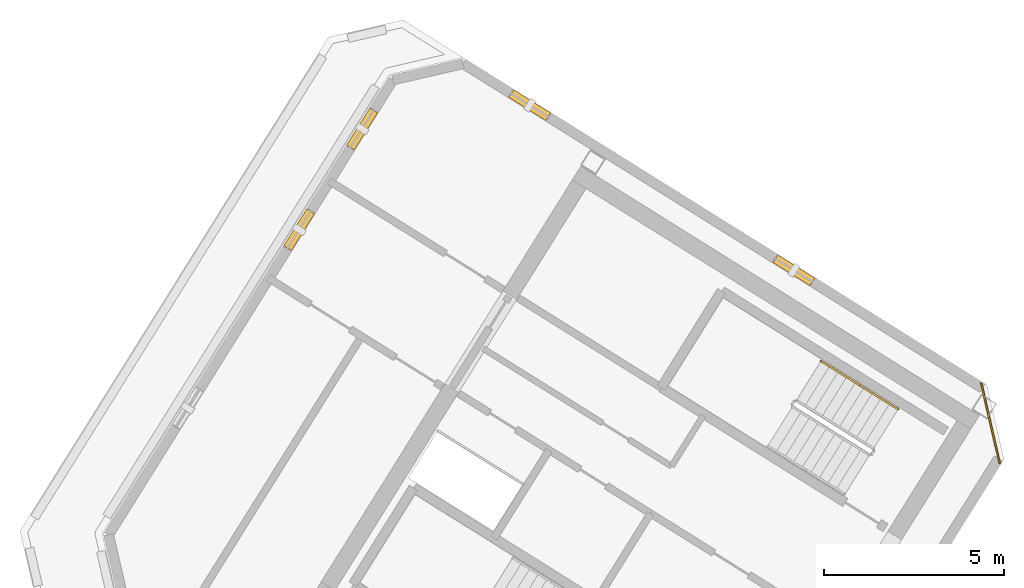
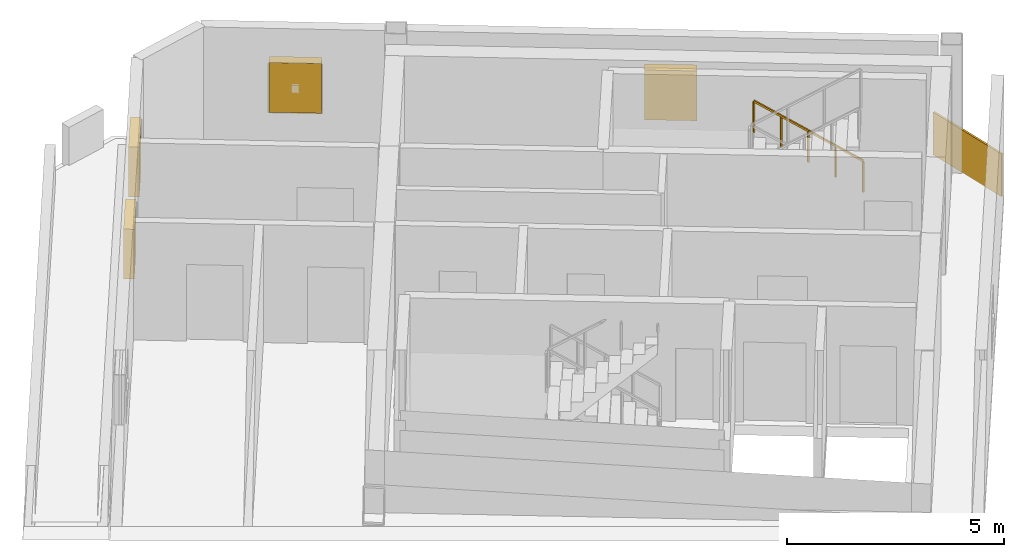
# One storey, part 7 of 7: 4 shading devices, 2 railings, 1 covering.
"""IFC4 building model written with IfcOpenShell, lengths in metres."""

from ifc_helpers import new_model, si_unit, direction, frame, origin, origin_2d, place, context, subcontext, project, spatial, rectangle, extrude, source, transform, mapped, material, layer, layer_set, type_object, element, save


model = new_model("IFC4")

# Units and contexts
model_context = context("Model", 3, precision=1e-05, world=origin(), true_north=direction((0.0, 1.0)))
body_context = subcontext(model_context, "Body", "Model", "MODEL_VIEW")
ifc_project = project(units=[si_unit("LENGTHUNIT", "METRE"), si_unit("AREAUNIT", "SQUARE_METRE"), si_unit("VOLUMEUNIT", "CUBIC_METRE"), si_unit("PLANEANGLEUNIT", "RADIAN"), si_unit("MASSUNIT", "GRAM", prefix="KILO")], contexts=[model_context])

# Site, building, storey
site_placement = place(None, origin())
site = spatial("IfcSite", under=ifc_project, at=site_placement, CompositionType="ELEMENT")
building_placement = place(site_placement, origin())
building = spatial("IfcBuilding", under=site, at=building_placement, Name="Tlacorven Tower", CompositionType="ELEMENT")
storey_placement = place(building_placement, frame((0.0, 0.0, 309.60009765625)))
storey = spatial("IfcBuildingStorey", under=building, at=storey_placement, Name="L79", CompositionType="ELEMENT", Elevation=309.60009765625)

# Shading devices
ifc_material_1 = material(Name="Anodised bronze aluminium acoustic louvre", Category="aluminium")
shading_device_type = type_object("IfcShadingDeviceType", Name="SH-LVR-WND", PredefinedType="JALOUSIE", material=ifc_material_1)
shared_shape_1 = source(origin(), body_context, "Body", "SweptSolid", [
    extrude(rectangle(XDim=1.2099609375, YDim=0.25, at=origin_2d()), origin(), (0.0, 0.0, 1.0), 1.39990234375),
])
for number, where, z_axis, x_axis, name in (
    (1, (21.775634765625, 29.37646484375, 0.949951171875), (0.0, 0.0, 1.0), (0.529919357141, 0.848048038101, 0.0), "L79 Storm-Resistant Acoustic Louvre Bank 4.2"),
    (2, (23.522216796875, 32.171630859375, 0.949951171875), (0.0, 0.0, 1.0), (0.529919357141, 0.848048038101, 0.0), "L79 Storm-Resistant Acoustic Louvre Bank 4.3"),
    (3, (28.172607421875, 32.83154296875, 0.949951171875), (0.0, 0.0, 1.0), (0.848048040728, -0.529919352937, 0.0), "L79 Storm-Resistant Acoustic Louvre Bank 6.1"),
    (4, (35.50146484375, 28.252197265625, 0.949951171875), (0.0, 0.0, 1.0), (0.848048040728, -0.529919352937, 0.0), "L79 Storm-Resistant Acoustic Louvre Bank 6.2"),
):
    element("IfcShadingDevice", number, at=place(storey_placement, frame(where, z_axis=z_axis, x_axis=x_axis)), inside=storey, type_object=shading_device_type, Name=name, PredefinedType="JALOUSIE", context=body_context, shape_type="MappedRepresentation", body=[
        mapped(shared_shape_1, transform((0.0, 0.0, 0.0), scale=1.0)),
    ])

# Covering
ifc_material_2 = material(Name="Precast concrete C45/55", Category="concrete")
ifc_layer = layer(ifc_material_2, 0.06005859375)
ifc_layer_set = layer_set([ifc_layer], Name="Precast concrete C45/55")
covering_type = type_object("IfcCoveringType", Name="CV-CLD-TERC", PredefinedType="CLADDING", material=ifc_layer_set)
shared_shape_2 = source(origin(), body_context, "Body", "SweptSolid", [
    extrude(rectangle(XDim=2.305419921875, YDim=0.050048828125, at=origin_2d()), origin(), (0.0, 0.0, 1.0), 1.199951171875),
])
covering_placement = place(storey_placement, frame((40.9560546875, 24.007568359375, -0.02001953125), z_axis=(0.0, 0.0, 1.0), x_axis=(0.22494970827, -0.97437037555, 0.0)))
element("IfcCovering", 5, at=covering_placement, inside=storey, type_object=covering_type, Name="L79 Crown Chamfer Spandrel Closure 1", PredefinedType="CLADDING", context=body_context, shape_type="MappedRepresentation", body=[
    mapped(shared_shape_2, transform((0.0, 0.0, 0.0), scale=1.0)),
])

# Railings
ifc_material_3 = material(Name="Aluminium and painted steel balustrade", Category="steel")
railing_type = type_object("IfcRailingType", Name="RL-HND-0900", PredefinedType="HANDRAIL", material=ifc_material_3)
shared_shape_3 = source(origin(), body_context, "Body", "SweptSolid", [
    extrude(rectangle(XDim=0.048095703125, YDim=0.048095703125, at=origin_2d()), frame((0.0, 0.0, 0.8759765625), z_axis=(-0.713359751793, 0.4457479829, 0.540764828981), x_axis=(-0.529911857636, -0.848052724267, 0.0)), (0.0, 0.0, 1.0), 1.498046875),
    extrude(rectangle(XDim=0.0419921875, YDim=0.0419921875, at=origin_2d()), origin(), (0.0, 0.0, 1.0), 0.851806640625),
    extrude(rectangle(XDim=0.0419921875, YDim=0.0419921875, at=origin_2d()), frame((-0.5341796875, 0.333984375, 0.405029296875)), (0.0, 0.0, 1.0), 0.851806640625),
    extrude(rectangle(XDim=0.0419921875, YDim=0.0419921875, at=origin_2d()), frame((-1.068603515625, 0.667724609375, 0.81005859375)), (0.0, 0.0, 1.0), 0.851806640625),
])
railing_1_placement = place(storey_placement, frame((38.390625, 24.39501953125, 0.179931640625)))
element("IfcRailing", 6, at=railing_1_placement, inside=storey, type_object=railing_type, Name="L79 ST-W2 stair handrail 1", PredefinedType="HANDRAIL", context=body_context, shape_type="MappedRepresentation", body=[
    mapped(shared_shape_3, transform((0.0, 0.0, 0.0), scale=1.0)),
])
shared_shape_4 = source(origin(), body_context, "Body", "SweptSolid", [
    extrude(rectangle(XDim=0.048095703125, YDim=0.048095703125, at=origin_2d()), frame((0.0, 0.0, 0.8759765625), z_axis=(-0.713422621445, 0.445787267455, 0.540649494022), x_axis=(-0.529911857636, -0.848052724267, 0.0)), (0.0, 0.0, 1.0), 1.497802734375),
    extrude(rectangle(XDim=0.0419921875, YDim=0.0419921875, at=origin_2d()), origin(), (0.0, 0.0, 1.0), 0.851806640625),
    extrude(rectangle(XDim=0.0419921875, YDim=0.0419921875, at=origin_2d()), frame((-0.5341796875, 0.333984375, 0.40478515625)), (0.0, 0.0, 1.0), 0.851806640625),
    extrude(rectangle(XDim=0.0419921875, YDim=0.0419921875, at=origin_2d()), frame((-1.068603515625, 0.667724609375, 0.809814453125)), (0.0, 0.0, 1.0), 0.851806640625),
])
railing_2_placement = place(storey_placement, frame((37.322021484375, 25.062744140625, 0.989990234375)))
element("IfcRailing", 7, at=railing_2_placement, inside=storey, type_object=railing_type, Name="L79 ST-W2 stair handrail 2", PredefinedType="HANDRAIL", context=body_context, shape_type="MappedRepresentation", body=[
    mapped(shared_shape_4, transform((0.0, 0.0, 0.0), scale=1.0)),
])

save(model, "model.ifc")
